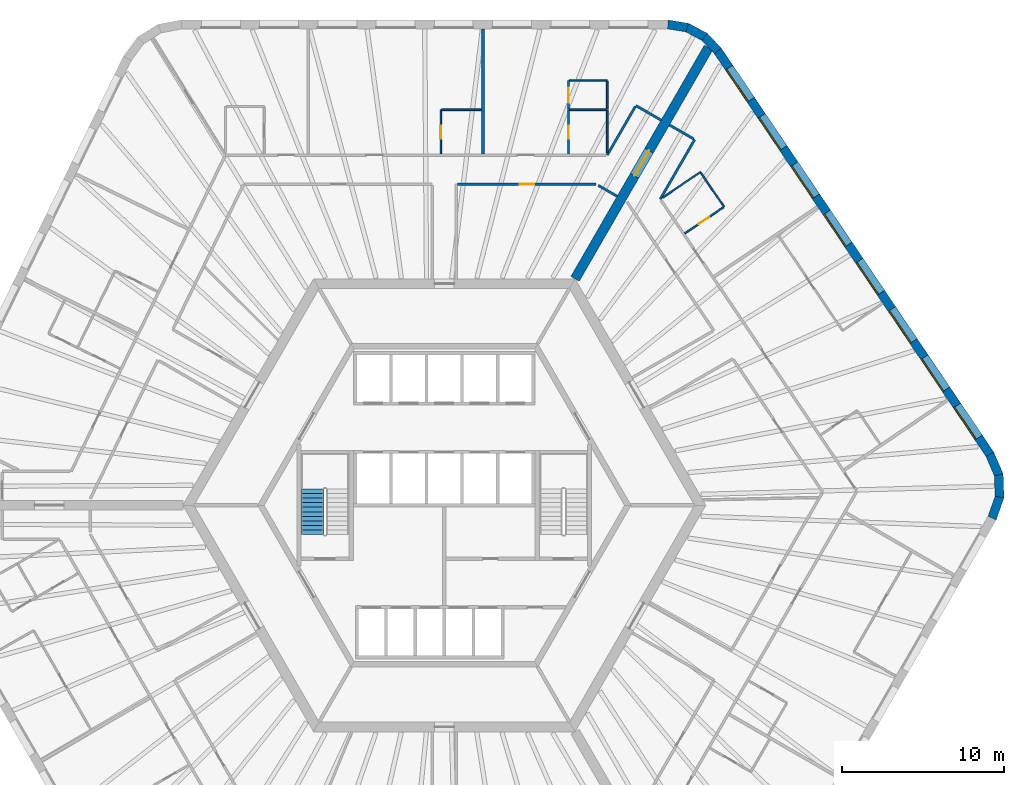
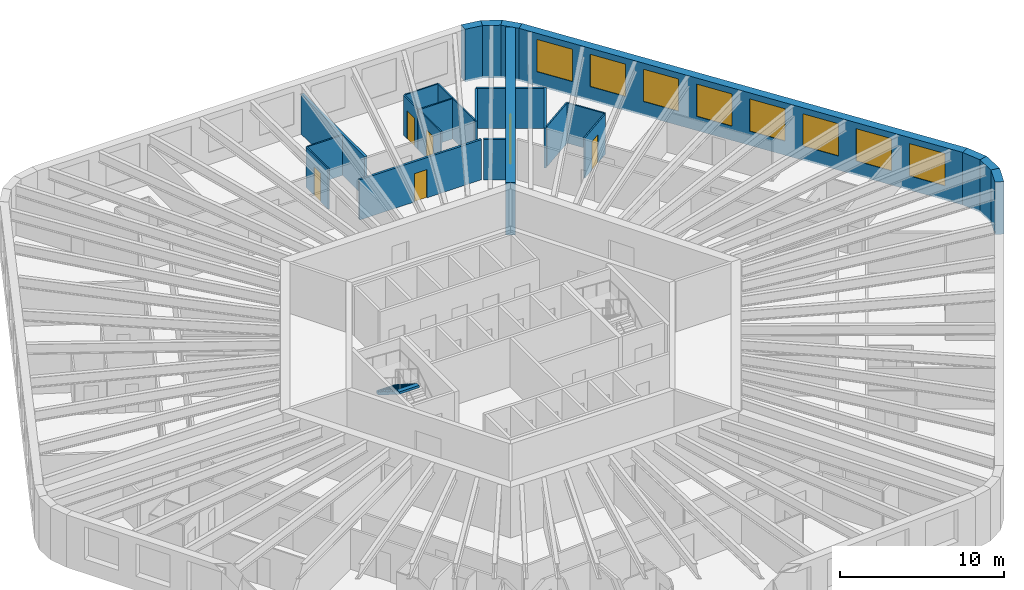
# One storey, part 10 of 12: 26 walls, 8 windows, 6 doors, 1 stair flight, 14 openings, 1 element without a shape of its own.
"""IFC4 building model written with IfcOpenShell, lengths in metres."""

import ifcopenshell
import ifcopenshell.guid

model = None  # the IFC model being written
_history = None  # IfcOwnerHistory: only IFC2X3 demands one
_inside = {}  # id of a spatial element -> (the spatial element, [elements in it])
_under = {}  # id of a project, library or spatial element -> (it, [spatial elements below it])
_declared = {}  # id of a project -> (the project, [libraries it declares])
_typed = {}  # id of a type object -> (the type object, [elements of that type])
_made_of = {}  # id of a material, layer set ... -> (it, [elements and type objects made of it])


def new_model(schema):
    """Start an empty IFC model of exactly this schema.

    Asked for "IFC4X3", IfcOpenShell would pick the latest addendum, in which some entities
    have other attributes; the version numbers below select the first issue.
    IFC2X3 requires an IfcOwnerHistory on every rooted entity: one is made here for all.
    """
    global model, _history
    if schema == "IFC4X3":
        model = ifcopenshell.file(schema_version=(4, 3, 0, 0))
    else:
        model = ifcopenshell.file(schema=schema)
    _inside.clear()
    _under.clear()
    _declared.clear()
    _typed.clear()
    _made_of.clear()
    _history = None
    if model.schema == "IFC2X3":
        org = make("IfcOrganization", Name="unknown")
        user = make(
            "IfcPersonAndOrganization",
            ThePerson=make("IfcPerson", FamilyName="unknown"),
            TheOrganization=org,
        )
        app = make(
            "IfcApplication",
            ApplicationDeveloper=org,
            Version="unknown",
            ApplicationFullName="unknown",
            ApplicationIdentifier="unknown",
        )
        _history = make(
            "IfcOwnerHistory",
            OwningUser=user,
            OwningApplication=app,
            ChangeAction="ADDED",
            CreationDate=0,
        )
    return model


def make(cls, **values):
    """One entity of the class cls with the attributes given. An attribute that is None is left unset."""
    return model.create_entity(
        cls, **{name: value for name, value in values.items() if value is not None}
    )


def rooted(cls, **values):
    """An entity with a GlobalId (a new one), such as an element, a storey or a relation."""
    return make(cls, GlobalId=ifcopenshell.guid.new(), OwnerHistory=_history, **values)


def si_unit(unit_type, name, prefix=None):
    """IfcSIUnit, for example si_unit("LENGTHUNIT", "METRE", prefix="MILLI")."""
    return make("IfcSIUnit", UnitType=unit_type, Prefix=prefix, Name=name)


def assignment(units):
    """IfcUnitAssignment: the units of a project."""
    return None if units is None else make("IfcUnitAssignment", Units=units)


def point(xyz):
    """IfcCartesianPoint."""
    return None if xyz is None else make("IfcCartesianPoint", Coordinates=xyz)


def direction(xyz):
    """IfcDirection."""
    return None if xyz is None else make("IfcDirection", DirectionRatios=xyz)


def frame(location, z_axis=None, x_axis=None):
    """IfcAxis2Placement3D, a coordinate frame: its origin and axes. An axis left out is left unset."""
    return make(
        "IfcAxis2Placement3D",
        Location=point(location),
        Axis=direction(z_axis),
        RefDirection=direction(x_axis),
    )


def frame_2d(location, x_axis=None):
    """IfcAxis2Placement2D, a coordinate frame in the plane: its origin and x axis."""
    return make(
        "IfcAxis2Placement2D", Location=point(location), RefDirection=direction(x_axis)
    )


def origin():
    """The frame at (0, 0, 0) with its axes left unset."""
    return frame((0.0, 0.0, 0.0))


def place(relative_to, where):
    """IfcLocalPlacement: puts the frame where relative to a parent placement (None: the world)."""
    return make(
        "IfcLocalPlacement", PlacementRelTo=relative_to, RelativePlacement=where
    )


def context(
    kind, dimensions, precision=None, world=None, true_north=None, identifier=None
):
    """IfcGeometricRepresentationContext, for example the 3D "Model" context."""
    return make(
        "IfcGeometricRepresentationContext",
        ContextIdentifier=identifier,
        ContextType=kind,
        CoordinateSpaceDimension=dimensions,
        Precision=precision,
        WorldCoordinateSystem=world,
        TrueNorth=true_north,
    )


def subcontext(parent, identifier, kind, view, scale=None):
    """IfcGeometricRepresentationSubContext, for example "Body" below "Model"."""
    return make(
        "IfcGeometricRepresentationSubContext",
        ContextIdentifier=identifier,
        ContextType=kind,
        ParentContext=parent,
        TargetScale=scale,
        TargetView=view,
    )


def project(units=None, contexts=None):
    """IfcProject with its units and contexts."""
    return rooted(
        "IfcProject",
        Name="project",
        RepresentationContexts=contexts,
        UnitsInContext=assignment(units),
    )


def spatial(cls, under=None, at=None, **own):
    """A site, building, storey or space (cls), placed at a placement, below another one or the project."""
    s = rooted(cls, ObjectPlacement=at, **own)
    if under is not None:
        _under.setdefault(under.id(), (under, []))[1].append(s)
    return s


def polyline(points):
    """IfcPolyline through the points."""
    return make("IfcPolyline", Points=[point(p) for p in points])


def profile(cls, at=None, kind="AREA", **sizes):
    """A parametric profile (cls). Its sizes go by their IFC names, for example OverallWidth=200.0."""
    return make(cls, ProfileType=kind, Position=at, **sizes)


def rectangle(**sizes):
    """IfcRectangleProfileDef."""
    return profile("IfcRectangleProfileDef", **sizes)


def outline(outer, holes=None, kind="AREA"):
    """IfcArbitraryClosedProfileDef: a profile drawn as a closed curve; with holes, ...WithVoids."""
    if holes is None:
        return make("IfcArbitraryClosedProfileDef", ProfileType=kind, OuterCurve=outer)
    return make(
        "IfcArbitraryProfileDefWithVoids",
        ProfileType=kind,
        OuterCurve=outer,
        InnerCurves=holes,
    )


def extrude(swept, where, along, depth):
    """IfcExtrudedAreaSolid: the profile swept, set in the frame where, extruded along a direction by depth."""
    return make(
        "IfcExtrudedAreaSolid",
        SweptArea=swept,
        Position=where,
        ExtrudedDirection=direction(along),
        Depth=depth,
    )


def shape(context_of_items, identifier, shape_type, items):
    """IfcShapeRepresentation: the items that make up one representation, for example the "Body"."""
    return make(
        "IfcShapeRepresentation",
        ContextOfItems=context_of_items,
        RepresentationIdentifier=identifier,
        RepresentationType=shape_type,
        Items=items,
    )


def material(Name=None, Category=None):
    """IfcMaterial."""
    return make("IfcMaterial", Name=Name, Category=Category)


def layer(
    of_material, thickness, ventilated=None, Name=None, Category=None, Priority=None
):
    """IfcMaterialLayer: one layer of a wall or slab, of a material (None: an air gap)."""
    return make(
        "IfcMaterialLayer",
        Material=of_material,
        LayerThickness=thickness,
        IsVentilated=ventilated,
        Name=Name,
        Category=Category,
        Priority=Priority,
    )


def layer_set(layers, Name=None):
    """IfcMaterialLayerSet."""
    return make("IfcMaterialLayerSet", MaterialLayers=layers, LayerSetName=Name)


def made_of(thing, what):
    """Note that an element or type object is made of a material, layer set ...; save() writes the relation."""
    if what is not None:
        _made_of.setdefault(what.id(), (what, []))[1].append(thing)
    return thing


def type_object(cls, material=None, **own):
    """A type object (cls), such as IfcWallType, which elements share."""
    return made_of(rooted(cls, **own), material)


def element(
    cls,
    number,
    at=None,
    inside=None,
    cuts=None,
    type_object=None,
    material=None,
    context=None,
    identifier="Body",
    shape_type=None,
    held_by="IfcProductDefinitionShape",
    body=None,
    shapes=None,
    **own,
):
    """One element of the class cls, such as IfcWall. Its Tag is "e" and its number.

    at: its placement. inside: the storey or other place that contains it. cuts: it is an
    opening in that element (IfcRelVoidsElement). A single representation is given by context,
    identifier, shape_type and body (its items); several are given by shapes. held_by: the class
    of the entity that holds the representations. save() writes the other relations.
    """
    e = rooted(cls, Tag="e%d" % number, ObjectPlacement=at, **own)
    if body is not None:
        shapes = [shape(context, identifier, shape_type, body)]
    if shapes is not None:
        e.Representation = make(held_by, Representations=shapes)
    if inside is not None:
        _inside.setdefault(inside.id(), (inside, []))[1].append(e)
    if cuts is not None:
        rooted(
            "IfcRelVoidsElement", RelatingBuildingElement=cuts, RelatedOpeningElement=e
        )
    if type_object is not None:
        _typed.setdefault(type_object.id(), (type_object, []))[1].append(e)
    return made_of(e, material)


def fill(opening, filler):
    """IfcRelFillsElement: the door or window that sits in an opening."""
    return rooted(
        "IfcRelFillsElement",
        RelatingOpeningElement=opening,
        RelatedBuildingElement=filler,
    )


def aggregate(whole, parts):
    """IfcRelAggregates: a whole, such as a stair, and the parts it consists of."""
    return rooted("IfcRelAggregates", RelatingObject=whole, RelatedObjects=parts)


def save(model, path):
    """Write the relations noted so far, then the file.

    IfcRelAggregates (storeys below a building ...), IfcRelContainedInSpatialStructure (elements
    in a storey), IfcRelDefinesByType, IfcRelAssociatesMaterial and IfcRelDeclares: one each for
    every whole, place, type object, material and project.
    """
    for whole, parts in _under.values():
        aggregate(whole, parts)
    for where, things in _inside.values():
        rooted(
            "IfcRelContainedInSpatialStructure",
            RelatedElements=things,
            RelatingStructure=where,
        )
    for kind, things in _typed.values():
        rooted("IfcRelDefinesByType", RelatedObjects=things, RelatingType=kind)
    for what, things in _made_of.values():
        rooted("IfcRelAssociatesMaterial", RelatedObjects=things, RelatingMaterial=what)
    for by, libraries in _declared.values():
        rooted("IfcRelDeclares", RelatingContext=by, RelatedDefinitions=libraries)
    model.write(path)


model = new_model("IFC4")

# Units and contexts
model_context = context("Model", 3, precision=1e-05, world=origin(), true_north=direction((0.0, 1.0)))
body_context = subcontext(model_context, "Body", "Model", "MODEL_VIEW")
ifc_project = project(units=[si_unit("LENGTHUNIT", "METRE"), si_unit("AREAUNIT", "SQUARE_METRE"), si_unit("VOLUMEUNIT", "CUBIC_METRE"), si_unit("PLANEANGLEUNIT", "RADIAN"), si_unit("MASSUNIT", "GRAM", prefix="KILO")], contexts=[model_context])

# Site, building, storey
site_placement = place(None, origin())
site = spatial("IfcSite", under=ifc_project, at=site_placement, CompositionType="ELEMENT")
building_placement = place(site_placement, origin())
building = spatial("IfcBuilding", under=site, at=building_placement, Name="Tarnside Tower", CompositionType="ELEMENT")
storey_placement = place(building_placement, frame((0.0, 0.0, 88.199951171875)))
storey = spatial("IfcBuildingStorey", under=building, at=storey_placement, Name="L19", CompositionType="ELEMENT", Elevation=88.199951171875)

# Wall, opening, door
ifc_material_1 = material(Name="Gypsum board partition on steel studs", Category="steel")
ifc_layer_1 = layer(ifc_material_1, 0.10009765625)
ifc_layer_set_1 = layer_set([ifc_layer_1], Name="Bathroom wall 100")
wall_type_1 = type_object("IfcWallType", Name="Bathroom wall 100", PredefinedType="PARTITIONING", material=ifc_layer_set_1)
wall_1_placement = place(storey_placement, frame((7.6748046875, 21.72509765625, 0.0), z_axis=(0.0, 0.0, 1.0), x_axis=(0.0, 1.0, 0.0)))
wall_1 = element("IfcWall", 1, at=wall_1_placement, inside=storey, type_object=wall_type_1, Name="Bathroom wall 05079", PredefinedType="PARTITIONING", context=body_context, shape_type="SweptSolid", body=[
    extrude(rectangle(XDim=2.724853515625, YDim=0.10009765625, at=frame_2d((1.3623046875, 0.0))), origin(), (0.0, 0.0, 1.0), 2.98779296875),
])
opening_1_placement = place(wall_1_placement, frame((0.925048828125, 0.0, 0.0)))
opening_1 = element("IfcOpeningElement", 2, at=opening_1_placement, cuts=wall_1, Name="Opening D-B1", PredefinedType="OPENING", context=body_context, shape_type="SweptSolid", body=[
    extrude(rectangle(XDim=0.800048828125, YDim=2.10009765625, at=frame_2d((0.39990234375, 1.050048828125))), frame((0.0, 0.06005859375, 0.0), z_axis=(0.0, -1.0, 0.0), x_axis=(1.0, 0.0, 0.0)), (0.0, 0.0, 1.0), 0.1201171875),
])
ifc_material_2 = material(Name="Timber door leaf", Category="wood")
door_type_1 = type_object("IfcDoorType", Name="Bathroom door 800", OperationType="NOTDEFINED", PredefinedType="DOOR", material=ifc_material_2)
door_1_placement = place(opening_1_placement, origin())
door_1 = element("IfcDoor", 3, at=door_1_placement, inside=storey, type_object=door_type_1, Name="Bathroom door 05002", OperationType="SINGLE_SWING_RIGHT", OverallHeight=2.10009765625, OverallWidth=0.800048828125, PredefinedType="DOOR", context=body_context, shape_type="SweptSolid", body=[
    extrude(rectangle(XDim=0.800048828125, YDim=2.10009765625, at=frame_2d((0.39990234375, 1.050048828125))), frame((0.0, 0.02490234375, 0.0), z_axis=(0.0, -1.0, 0.0), x_axis=(1.0, 0.0, 0.0)), (0.0, 0.0, 1.0), 0.050048828125),
])
fill(opening_1, door_1)

# Walls
wall_2_placement = place(storey_placement, frame((10.07470703125, 24.449951171875, 0.0), z_axis=(0.0, 0.0, 1.0), x_axis=(0.0, -1.0, 0.0)))
element("IfcWall", 4, at=wall_2_placement, inside=storey, type_object=wall_type_1, Name="Bathroom wall 05080", PredefinedType="PARTITIONING", context=body_context, shape_type="SweptSolid", body=[
    extrude(rectangle(XDim=2.64990234375, YDim=0.10009765625, at=frame_2d((1.324951171875, 0.0))), origin(), (0.0, 0.0, 1.0), 2.98779296875),
])
wall_3_placement = place(storey_placement, frame((10.024658203125, 24.449951171875, 0.0), z_axis=(0.0, 0.0, 1.0), x_axis=(-1.0, 0.0, 0.0)))
element("IfcWall", 5, at=wall_3_placement, inside=storey, type_object=wall_type_1, Name="Bathroom wall 05086", PredefinedType="PARTITIONING", context=body_context, shape_type="SweptSolid", body=[
    extrude(rectangle(XDim=2.2998046875, YDim=0.10009765625, at=frame_2d((1.14990234375, 0.0))), origin(), (0.0, 0.0, 1.0), 2.98779296875),
])

# Wall, opening, door
wall_4_placement = place(storey_placement, frame((-0.2109375, 21.72509765625, 0.0), z_axis=(0.0, 0.0, 1.0), x_axis=(0.0, 1.0, 0.0)))
wall_4 = element("IfcWall", 6, at=wall_4_placement, inside=storey, type_object=wall_type_1, Name="Bathroom wall 05087", PredefinedType="PARTITIONING", context=body_context, shape_type="SweptSolid", body=[
    extrude(rectangle(XDim=2.724853515625, YDim=0.10009765625, at=frame_2d((1.3623046875, 0.0))), origin(), (0.0, 0.0, 1.0), 2.98779296875),
])
opening_2_placement = place(wall_4_placement, frame((0.925048828125, 0.0, 0.0)))
opening_2 = element("IfcOpeningElement", 7, at=opening_2_placement, cuts=wall_4, Name="Opening D-B1", PredefinedType="OPENING", context=body_context, shape_type="SweptSolid", body=[
    extrude(rectangle(XDim=0.800048828125, YDim=2.10009765625, at=frame_2d((0.39990234375, 1.050048828125))), frame((0.0, 0.06005859375, 0.0), z_axis=(0.0, -1.0, 0.0), x_axis=(1.0, 0.0, 0.0)), (0.0, 0.0, 1.0), 0.1201171875),
])
door_2_placement = place(opening_2_placement, origin())
door_2 = element("IfcDoor", 8, at=door_2_placement, inside=storey, type_object=door_type_1, Name="Bathroom door 05005", OperationType="SINGLE_SWING_RIGHT", OverallHeight=2.10009765625, OverallWidth=0.800048828125, PredefinedType="DOOR", context=body_context, shape_type="SweptSolid", body=[
    extrude(rectangle(XDim=0.800048828125, YDim=2.10009765625, at=frame_2d((0.39990234375, 1.050048828125))), frame((0.0, 0.02490234375, 0.0), z_axis=(0.0, -1.0, 0.0), x_axis=(1.0, 0.0, 0.0)), (0.0, 0.0, 1.0), 0.050048828125),
])
fill(opening_2, door_2)

# Walls
wall_5_placement = place(storey_placement, frame((-0.1611328125, 24.449951171875, 0.0), z_axis=(0.0, 0.0, 1.0), x_axis=(1.0, 0.0, 0.0)))
element("IfcWall", 9, at=wall_5_placement, inside=storey, type_object=wall_type_1, Name="Bathroom wall 05088", PredefinedType="PARTITIONING", context=body_context, shape_type="SweptSolid", body=[
    extrude(rectangle(XDim=2.4599609375, YDim=0.10009765625, at=frame_2d((1.22998046875, 0.0))), origin(), (0.0, 0.0, 1.0), 2.98779296875),
])
wall_6_placement = place(storey_placement, frame((13.4921875, 19.019287109375, 0.0), z_axis=(0.0, 0.0, 1.0), x_axis=(0.829037705426, 0.559192706481, 0.0)))
element("IfcWall", 10, at=wall_6_placement, inside=storey, type_object=wall_type_1, Name="Bathroom wall 05156", PredefinedType="PARTITIONING", context=body_context, shape_type="SweptSolid", body=[
    extrude(rectangle(XDim=2.8291015625, YDim=0.10009765625, at=frame_2d((1.41455078125, 0.0))), origin(), (0.0, 0.0, 1.0), 2.98779296875),
])
wall_7_placement = place(storey_placement, frame((15.865478515625, 20.559814453125, 0.0), z_axis=(0.0, 0.0, 1.0), x_axis=(0.559221247909, -0.829018453285, 0.0)))
element("IfcWall", 11, at=wall_7_placement, inside=storey, type_object=wall_type_1, Name="Bathroom wall 05157", PredefinedType="PARTITIONING", context=body_context, shape_type="SweptSolid", body=[
    extrude(rectangle(XDim=2.550048828125, YDim=0.10009765625, at=frame_2d((1.27490234375, 0.0))), origin(), (0.0, 0.0, 1.0), 2.98779296875),
])

# Wall, opening, door
wall_8_placement = place(storey_placement, frame((17.25, 18.417724609375, 0.0), z_axis=(0.0, 0.0, 1.0), x_axis=(-0.82904649496, -0.559179675234, 0.0)))
wall_8 = element("IfcWall", 12, at=wall_8_placement, inside=storey, type_object=wall_type_1, Name="Bathroom wall 05158", PredefinedType="PARTITIONING", context=body_context, shape_type="SweptSolid", body=[
    extrude(rectangle(XDim=2.875, YDim=0.10009765625, at=frame_2d((1.4375, 0.0))), origin(), (0.0, 0.0, 1.0), 2.98779296875),
])
opening_3_placement = place(wall_8_placement, frame((1.050048828125, 0.0, 0.0)))
opening_3 = element("IfcOpeningElement", 13, at=opening_3_placement, cuts=wall_8, Name="Opening D-B1", PredefinedType="OPENING", context=body_context, shape_type="SweptSolid", body=[
    extrude(rectangle(XDim=0.800048828125, YDim=2.10009765625, at=frame_2d((0.39990234375, 1.050048828125))), frame((0.0, 0.06005859375, 0.0), z_axis=(0.0, -1.0, 0.0), x_axis=(1.0, 0.0, 0.0)), (0.0, 0.0, 1.0), 0.1201171875),
])
door_3_placement = place(opening_3_placement, origin())
door_3 = element("IfcDoor", 14, at=door_3_placement, inside=storey, type_object=door_type_1, Name="Bathroom door 05040", OperationType="SINGLE_SWING_LEFT", OverallHeight=2.10009765625, OverallWidth=0.800048828125, PredefinedType="DOOR", context=body_context, shape_type="SweptSolid", body=[
    extrude(rectangle(XDim=0.800048828125, YDim=2.10009765625, at=frame_2d((0.39990234375, 1.050048828125))), frame((0.0, 0.02490234375, 0.0), z_axis=(0.0, -1.0, 0.0), x_axis=(1.0, 0.0, 0.0)), (0.0, 0.0, 1.0), 0.050048828125),
])
fill(opening_3, door_3)

ifc_material_3 = material(Name="Concrete C80/95", Category="concrete")
ifc_layer_2 = layer(ifc_material_3, 0.60009765625)
ifc_layer_set_2 = layer_set([ifc_layer_2], Name="Core wall Z1 600 C80/95")
wall_type_2 = type_object("IfcWallType", Name="Core wall Z1 600 C80/95", PredefinedType="SHEAR", material=ifc_layer_set_2)
wall_9_placement = place(storey_placement, frame((8.0830078125, 14.0, -0.14990234375), z_axis=(0.0, 0.0, 1.0), x_axis=(0.499997680643, 0.866026742862, 0.0)))
wall_9 = element("IfcWall", 15, at=wall_9_placement, inside=storey, type_object=wall_type_2, Name="L19 spine wall 1", PredefinedType="SHEAR", context=body_context, shape_type="SweptSolid", body=[
    extrude(rectangle(XDim=16.5087890625, YDim=0.60009765625, at=frame_2d((8.25439453125, 0.0))), origin(), (0.0, 0.0, 1.0), 3.89990234375),
])
opening_4_placement = place(wall_9_placement, frame((7.3544921875, 0.0, 0.14990234375)))
opening_4 = element("IfcOpeningElement", 16, at=opening_4_placement, cuts=wall_9, Name="Opening CD-SPN", PredefinedType="OPENING", context=body_context, shape_type="SweptSolid", body=[
    extrude(rectangle(XDim=1.800048828125, YDim=2.39990234375, at=frame_2d((0.89990234375, 1.199951171875))), frame((0.0, 0.31005859375, 0.0), z_axis=(0.0, -1.0, 0.0), x_axis=(1.0, 0.0, 0.0)), (0.0, 0.0, 1.0), 0.6201171875),
])
ifc_material_4 = material(Name="Steel fire door", Category="steel")
door_type_2 = type_object("IfcDoorType", Name="Spine passage double door FD60 1800x2400", OperationType="NOTDEFINED", PredefinedType="DOOR", material=ifc_material_4)
door_4_placement = place(opening_4_placement, origin())
door_4 = element("IfcDoor", 17, at=door_4_placement, inside=storey, type_object=door_type_2, Name="L19 spine passage door 1", OperationType="DOUBLE_DOOR_SINGLE_SWING", OverallHeight=2.39990234375, OverallWidth=1.800048828125, PredefinedType="DOOR", context=body_context, shape_type="SweptSolid", body=[
    extrude(rectangle(XDim=1.800048828125, YDim=2.39990234375, at=frame_2d((0.89990234375, 1.199951171875))), frame((0.0, 0.02490234375, 0.0), z_axis=(0.0, -1.0, 0.0), x_axis=(1.0, 0.0, 0.0)), (0.0, 0.0, 1.0), 0.050048828125),
])
fill(opening_4, door_4)

# Walls
ifc_layer_3 = layer(ifc_material_1, 0.14990234375)
ifc_layer_set_3 = layer_set([ifc_layer_3], Name="Corridor wall 150 EI 60")
wall_type_3 = type_object("IfcWallType", Name="Corridor wall 150 EI 60", PredefinedType="PARTITIONING", material=ifc_layer_set_3)
wall_10_placement = place(storey_placement, frame((13.400390625, 23.81005859375, 0.0), z_axis=(0.0, 0.0, 1.0), x_axis=(-0.865989075817, 0.500062916607, 0.0)))
element("IfcWall", 18, at=wall_10_placement, inside=storey, type_object=wall_type_3, Name="Corridor wall 05002", PredefinedType="PARTITIONING", context=body_context, shape_type="SweptSolid", body=[
    extrude(rectangle(XDim=1.800048828125, YDim=0.14990234375, at=frame_2d((0.89990234375, 0.0))), origin(), (0.0, 0.0, 1.0), 2.98779296875),
])
wall_11_placement = place(storey_placement, frame((11.803955078125, 24.64501953125, 0.0), z_axis=(0.0, 0.0, 1.0), x_axis=(-0.500003541824, -0.866023358902, 0.0)))
element("IfcWall", 19, at=wall_11_placement, inside=storey, type_object=wall_type_3, Name="Corridor wall 05003", PredefinedType="PARTITIONING", context=body_context, shape_type="SweptSolid", body=[
    extrude(rectangle(XDim=3.45849609375, YDim=0.14990234375, at=frame_2d((1.729248046875, 0.0))), origin(), (0.0, 0.0, 1.0), 2.98779296875),
])

# Wall, opening, door
wall_12_placement = place(storey_placement, frame((0.824951171875, 19.85009765625, 0.0), z_axis=(0.0, 0.0, 1.0), x_axis=(1.0, 0.0, 0.0)))
wall_12 = element("IfcWall", 20, at=wall_12_placement, inside=storey, type_object=wall_type_3, Name="Corridor wall 05023", PredefinedType="PARTITIONING", context=body_context, shape_type="SweptSolid", body=[
    extrude(rectangle(XDim=8.564208984375, YDim=0.14990234375, at=frame_2d((4.2822265625, 0.0))), origin(), (0.0, 0.0, 1.0), 2.98779296875),
])
opening_5_placement = place(wall_12_placement, frame((3.83203125, 0.0, 0.0)))
opening_5 = element("IfcOpeningElement", 21, at=opening_5_placement, cuts=wall_12, Name="Opening D-S1", PredefinedType="OPENING", context=body_context, shape_type="SweptSolid", body=[
    extrude(rectangle(XDim=0.89990234375, YDim=2.10009765625, at=frame_2d((0.449951171875, 1.050048828125))), frame((0.0, 0.0849609375, 0.0), z_axis=(0.0, -1.0, 0.0), x_axis=(1.0, 0.0, 0.0)), (0.0, 0.0, 1.0), 0.169921875),
])
door_type_3 = type_object("IfcDoorType", Name="Service room door 900 FD30S", OperationType="NOTDEFINED", PredefinedType="DOOR", material=ifc_material_2)
door_5_placement = place(opening_5_placement, origin())
door_5 = element("IfcDoor", 22, at=door_5_placement, inside=storey, type_object=door_type_3, Name="Service door 05043", OperationType="SINGLE_SWING_RIGHT", OverallHeight=2.10009765625, OverallWidth=0.89990234375, PredefinedType="DOOR", context=body_context, shape_type="SweptSolid", body=[
    extrude(rectangle(XDim=0.89990234375, YDim=2.10009765625, at=frame_2d((0.449951171875, 1.050048828125))), frame((0.0, 0.02490234375, 0.0), z_axis=(0.0, -1.0, 0.0), x_axis=(1.0, 0.0, 0.0)), (0.0, 0.0, 1.0), 0.050048828125),
])
fill(opening_5, door_5)

# Walls
wall_13_placement = place(storey_placement, frame((9.51904296875, 19.77490234375, 0.0), z_axis=(0.0, 0.0, 1.0), x_axis=(0.866043397086, -0.499968833392, 0.0)))
element("IfcWall", 23, at=wall_13_placement, inside=storey, type_object=wall_type_3, Name="Corridor wall 05024", PredefinedType="PARTITIONING", context=body_context, shape_type="SweptSolid", body=[
    extrude(rectangle(XDim=1.34375, YDim=0.14990234375, at=frame_2d((0.671875, 0.0))), origin(), (0.0, 0.0, 1.0), 2.98779296875),
])
wall_14_placement = place(storey_placement, frame((13.350341796875, 18.923583984375, 0.0), z_axis=(0.0, 0.0, 1.0), x_axis=(0.500000470374, 0.866025132214, 0.0)))
element("IfcWall", 24, at=wall_14_placement, inside=storey, type_object=wall_type_3, Name="Corridor wall 05065", PredefinedType="PARTITIONING", context=body_context, shape_type="SweptSolid", body=[
    extrude(rectangle(XDim=4.2568359375, YDim=0.14990234375, at=frame_2d((2.12841796875, 0.0))), origin(), (0.0, 0.0, 1.0), 2.98779296875),
])
wall_15_placement = place(storey_placement, frame((15.413818359375, 22.647705078125, 0.0), z_axis=(0.0, 0.0, 1.0), x_axis=(-0.866074815912, 0.499914405916, 0.0)))
element("IfcWall", 25, at=wall_15_placement, inside=storey, type_object=wall_type_3, Name="Corridor wall 05066", PredefinedType="PARTITIONING", context=body_context, shape_type="SweptSolid", body=[
    extrude(rectangle(XDim=1.724853515625, YDim=0.14990234375, at=frame_2d((0.8623046875, 0.0))), origin(), (0.0, 0.0, 1.0), 2.98779296875),
])
ifc_layer_4 = layer(ifc_material_1, 0.179931640625)
ifc_layer_set_4 = layer_set([ifc_layer_4], Name="Demising wall 180 EI 60")
wall_type_4 = type_object("IfcWallType", Name="Demising wall 180 EI 60", PredefinedType="PARTITIONING", material=ifc_layer_set_4)
wall_16_placement = place(storey_placement, frame((2.388916015625, 29.449951171875, 0.0), z_axis=(0.0, 0.0, 1.0), x_axis=(0.0, -1.0, 0.0)))
element("IfcWall", 26, at=wall_16_placement, inside=storey, type_object=wall_type_4, Name="Demising wall 05084", PredefinedType="PARTITIONING", context=body_context, shape_type="SweptSolid", body=[
    extrude(rectangle(XDim=7.724853515625, YDim=0.179931640625, at=frame_2d((3.8623046875, 0.0))), origin(), (0.0, 0.0, 1.0), 2.98779296875),
])

# Wall, opening, door
ifc_layer_5 = layer(ifc_material_1, 0.10009765625)
ifc_layer_set_5 = layer_set([ifc_layer_5], Name="Partition 100")
wall_type_5 = type_object("IfcWallType", Name="Partition 100", PredefinedType="PARTITIONING", material=ifc_layer_set_5)
wall_17_placement = place(storey_placement, frame((7.6748046875, 24.5, 0.0), z_axis=(0.0, 0.0, 1.0), x_axis=(0.0, 1.0, 0.0)))
wall_17 = element("IfcWall", 27, at=wall_17_placement, inside=storey, type_object=wall_type_5, Name="Partition wall 05081", PredefinedType="PARTITIONING", context=body_context, shape_type="SweptSolid", body=[
    extrude(rectangle(XDim=1.75, YDim=0.10009765625, at=frame_2d((0.875, 0.0))), origin(), (0.0, 0.0, 1.0), 2.98779296875),
])
opening_6_placement = place(wall_17_placement, frame((0.39990234375, 0.0, 0.0)))
opening_6 = element("IfcOpeningElement", 28, at=opening_6_placement, cuts=wall_17, Name="Opening D-I1", PredefinedType="OPENING", context=body_context, shape_type="SweptSolid", body=[
    extrude(rectangle(XDim=0.89990234375, YDim=2.10009765625, at=frame_2d((0.449951171875, 1.050048828125))), frame((0.0, 0.06005859375, 0.0), z_axis=(0.0, -1.0, 0.0), x_axis=(1.0, 0.0, 0.0)), (0.0, 0.0, 1.0), 0.1201171875),
])
door_type_4 = type_object("IfcDoorType", Name="Internal door 900", OperationType="NOTDEFINED", PredefinedType="DOOR", material=ifc_material_2)
door_6_placement = place(opening_6_placement, origin())
door_6 = element("IfcDoor", 29, at=door_6_placement, inside=storey, type_object=door_type_4, Name="Internal door 05003", OperationType="SINGLE_SWING_RIGHT", OverallHeight=2.10009765625, OverallWidth=0.89990234375, PredefinedType="DOOR", context=body_context, shape_type="SweptSolid", body=[
    extrude(rectangle(XDim=0.89990234375, YDim=2.10009765625, at=frame_2d((0.449951171875, 1.050048828125))), frame((0.0, 0.02490234375, 0.0), z_axis=(0.0, -1.0, 0.0), x_axis=(1.0, 0.0, 0.0)), (0.0, 0.0, 1.0), 0.050048828125),
])
fill(opening_6, door_6)

# Walls
wall_18_placement = place(storey_placement, frame((7.724853515625, 26.25, 0.0), z_axis=(0.0, 0.0, 1.0), x_axis=(1.0, 0.0, 0.0)))
element("IfcWall", 30, at=wall_18_placement, inside=storey, type_object=wall_type_5, Name="Partition wall 05082", PredefinedType="PARTITIONING", context=body_context, shape_type="SweptSolid", body=[
    extrude(rectangle(XDim=2.349853515625, YDim=0.10009765625, at=frame_2d((1.1748046875, 0.0))), origin(), (0.0, 0.0, 1.0), 2.98779296875),
])
wall_19_placement = place(storey_placement, frame((10.07470703125, 26.199951171875, 0.0), z_axis=(0.0, 0.0, 1.0), x_axis=(0.0, -1.0, 0.0)))
element("IfcWall", 31, at=wall_19_placement, inside=storey, type_object=wall_type_5, Name="Partition wall 05083", PredefinedType="PARTITIONING", context=body_context, shape_type="SweptSolid", body=[
    extrude(rectangle(XDim=1.699951171875, YDim=0.10009765625, at=frame_2d((0.85009765625, 0.0))), origin(), (0.0, 0.0, 1.0), 2.98779296875),
])
ifc_material_5 = material(Name="Facing brick", Category="masonry")
ifc_layer_6 = layer(ifc_material_5, 0.10205078125)
ifc_material_6 = material(Name="Concrete C60/75 precast", Category="concrete")
ifc_layer_7 = layer(ifc_material_6, 0.347900390625)
ifc_material_7 = material(Name="Mineral wool insulation")
ifc_layer_8 = layer(ifc_material_7, 0.10009765625)
ifc_layer_set_6 = layer_set([ifc_layer_6, ifc_layer_7, ifc_layer_8], Name="Tube wall 550 brick faced")
wall_type_6 = type_object("IfcWallType", Name="Tube wall 550 brick faced", PredefinedType="SOLIDWALL", material=ifc_layer_set_6)
wall_20_placement = place(storey_placement, frame((33.865966796875, -0.79248046875, -0.14990234375), z_axis=(0.0, 0.0, 1.0), x_axis=(0.33111537203, 0.943590276765, 0.0)))
element("IfcWall", 32, at=wall_20_placement, inside=storey, type_object=wall_type_6, Name="Tube wall L19 F5 chord 17", PredefinedType="SOLIDWALL", context=body_context, shape_type="SweptSolid", body=[
    extrude(outline(polyline([(-0.025634765625, -0.27490234375), (1.4306640625, -0.27490234375), (1.3271484375, 0.27490234375), (0.025634765625, 0.27490234375), (-0.025634765625, -0.27490234375)])), origin(), (0.0, 0.0, 1.0), 3.89990234375),
])
wall_21_placement = place(storey_placement, frame((34.322509765625, 0.508544921875, -0.14990234375), z_axis=(0.0, 0.0, 1.0), x_axis=(-0.034876908462, 0.999391615562, 0.0)))
element("IfcWall", 33, at=wall_21_placement, inside=storey, type_object=wall_type_6, Name="Tube wall L19 F5 chord 18", PredefinedType="SOLIDWALL", context=body_context, shape_type="SweptSolid", body=[
    extrude(outline(polyline([(-0.0517578125, -0.27490234375), (1.4306640625, -0.27490234375), (1.3271484375, 0.27490234375), (0.0517578125, 0.27490234375), (-0.0517578125, -0.27490234375)])), origin(), (0.0, 0.0, 1.0), 3.89990234375),
])
wall_22_placement = place(storey_placement, frame((34.2744140625, 1.88671875, -0.14990234375), z_axis=(0.0, 0.0, 1.0), x_axis=(-0.396161342798, 0.918180913803, 0.0)))
element("IfcWall", 34, at=wall_22_placement, inside=storey, type_object=wall_type_6, Name="Tube wall L19 F5 chord 19", PredefinedType="SOLIDWALL", context=body_context, shape_type="SweptSolid", body=[
    extrude(outline(polyline([(-0.0517578125, -0.27490234375), (1.40478515625, -0.27490234375), (1.353515625, 0.27490234375), (0.0517578125, 0.27490234375), (-0.0517578125, -0.27490234375)])), origin(), (0.0, 0.0, 1.0), 3.89990234375),
])

# Wall, openings, windows
wall_23_placement = place(storey_placement, frame((33.72802734375, 3.153076171875, -0.14990234375), z_axis=(0.0, 0.0, 1.0), x_axis=(-0.559192411416, 0.82903790445, 0.0)))
wall_23 = element("IfcWall", 35, at=wall_23_placement, inside=storey, type_object=wall_type_6, Name="Tube wall L19 F6 flush 20", PredefinedType="SOLIDWALL", context=body_context, shape_type="SweptSolid", body=[
    extrude(outline(polyline([(-0.025634765625, -0.27490234375), (30.09326171875, -0.27490234375), (30.04833984375, 0.27490234375), (0.025634765625, 0.27490234375), (-0.025634765625, -0.27490234375)])), origin(), (0.0, 0.0, 1.0), 3.89990234375),
])
opening_7_placement = place(wall_23_placement, frame((1.235595703125, 0.0, 1.050048828125)))
opening_7 = element("IfcOpeningElement", 36, at=opening_7_placement, cuts=wall_23, Name="Opening WH", PredefinedType="OPENING", context=body_context, shape_type="SweptSolid", body=[
    extrude(rectangle(XDim=2.39990234375, YDim=2.39990234375, at=frame_2d((1.199951171875, 1.199951171875))), frame((0.0, 0.28515625, 0.0), z_axis=(0.0, -1.0, 0.0), x_axis=(1.0, 0.0, 0.0)), (0.0, 0.0, 1.0), 0.570068359375),
])
opening_8_placement = place(wall_23_placement, frame((4.83544921875, 0.0, 1.050048828125)))
opening_8 = element("IfcOpeningElement", 37, at=opening_8_placement, cuts=wall_23, Name="Opening WH", PredefinedType="OPENING", context=body_context, shape_type="SweptSolid", body=[
    extrude(rectangle(XDim=2.39990234375, YDim=2.39990234375, at=frame_2d((1.199951171875, 1.199951171875))), frame((0.0, 0.28515625, 0.0), z_axis=(0.0, -1.0, 0.0), x_axis=(1.0, 0.0, 0.0)), (0.0, 0.0, 1.0), 0.570068359375),
])
opening_9_placement = place(wall_23_placement, frame((8.435546875, 0.0, 1.050048828125)))
opening_9 = element("IfcOpeningElement", 38, at=opening_9_placement, cuts=wall_23, Name="Opening WH", PredefinedType="OPENING", context=body_context, shape_type="SweptSolid", body=[
    extrude(rectangle(XDim=2.39990234375, YDim=2.39990234375, at=frame_2d((1.199951171875, 1.199951171875))), frame((0.0, 0.28515625, 0.0), z_axis=(0.0, -1.0, 0.0), x_axis=(1.0, 0.0, 0.0)), (0.0, 0.0, 1.0), 0.570068359375),
])
opening_10_placement = place(wall_23_placement, frame((12.035400390625, 0.0, 1.050048828125)))
opening_10 = element("IfcOpeningElement", 39, at=opening_10_placement, cuts=wall_23, Name="Opening WH", PredefinedType="OPENING", context=body_context, shape_type="SweptSolid", body=[
    extrude(rectangle(XDim=2.39990234375, YDim=2.39990234375, at=frame_2d((1.199951171875, 1.199951171875))), frame((0.0, 0.28515625, 0.0), z_axis=(0.0, -1.0, 0.0), x_axis=(1.0, 0.0, 0.0)), (0.0, 0.0, 1.0), 0.570068359375),
])
opening_11_placement = place(wall_23_placement, frame((15.635498046875, 0.0, 1.050048828125)))
opening_11 = element("IfcOpeningElement", 40, at=opening_11_placement, cuts=wall_23, Name="Opening WH", PredefinedType="OPENING", context=body_context, shape_type="SweptSolid", body=[
    extrude(rectangle(XDim=2.39990234375, YDim=2.39990234375, at=frame_2d((1.199951171875, 1.199951171875))), frame((0.0, 0.28515625, 0.0), z_axis=(0.0, -1.0, 0.0), x_axis=(1.0, 0.0, 0.0)), (0.0, 0.0, 1.0), 0.570068359375),
])
opening_12_placement = place(wall_23_placement, frame((19.235595703125, 0.0, 1.050048828125)))
opening_12 = element("IfcOpeningElement", 41, at=opening_12_placement, cuts=wall_23, Name="Opening WH", PredefinedType="OPENING", context=body_context, shape_type="SweptSolid", body=[
    extrude(rectangle(XDim=2.39990234375, YDim=2.39990234375, at=frame_2d((1.199951171875, 1.199951171875))), frame((0.0, 0.28515625, 0.0), z_axis=(0.0, -1.0, 0.0), x_axis=(1.0, 0.0, 0.0)), (0.0, 0.0, 1.0), 0.570068359375),
])
opening_13_placement = place(wall_23_placement, frame((22.83544921875, 0.0, 1.050048828125)))
opening_13 = element("IfcOpeningElement", 42, at=opening_13_placement, cuts=wall_23, Name="Opening WH", PredefinedType="OPENING", context=body_context, shape_type="SweptSolid", body=[
    extrude(rectangle(XDim=2.39990234375, YDim=2.39990234375, at=frame_2d((1.199951171875, 1.199951171875))), frame((0.0, 0.28515625, 0.0), z_axis=(0.0, -1.0, 0.0), x_axis=(1.0, 0.0, 0.0)), (0.0, 0.0, 1.0), 0.570068359375),
])
opening_14_placement = place(wall_23_placement, frame((26.435546875, 0.0, 1.050048828125)))
opening_14 = element("IfcOpeningElement", 43, at=opening_14_placement, cuts=wall_23, Name="Opening WH", PredefinedType="OPENING", context=body_context, shape_type="SweptSolid", body=[
    extrude(rectangle(XDim=2.39990234375, YDim=2.39990234375, at=frame_2d((1.199951171875, 1.199951171875))), frame((0.0, 0.28515625, 0.0), z_axis=(0.0, -1.0, 0.0), x_axis=(1.0, 0.0, 0.0)), (0.0, 0.0, 1.0), 0.570068359375),
])
ifc_material_8 = material(Name="Aluminium-framed double glazing", Category="aluminium")
window_type = type_object("IfcWindowType", Name="Hotel window 2400 x 2400", PartitioningType="DOUBLE_PANEL_VERTICAL", PredefinedType="WINDOW", material=ifc_material_8)
window_1_placement = place(opening_7_placement, frame((0.0, 0.205078125, 0.0)))
window_1 = element("IfcWindow", 44, at=window_1_placement, inside=storey, type_object=window_type, Name="E.WN.L19.F6.00", OverallHeight=2.39990234375, OverallWidth=2.39990234375, PartitioningType="DOUBLE_PANEL_VERTICAL", PredefinedType="WINDOW", context=body_context, shape_type="SweptSolid", body=[
    extrude(rectangle(XDim=2.39990234375, YDim=2.39990234375, at=frame_2d((1.199951171875, 1.199951171875))), frame((0.0, 0.030029296875, 0.0), z_axis=(0.0, -1.0, 0.0), x_axis=(1.0, 0.0, 0.0)), (0.0, 0.0, 1.0), 0.06005859375),
])
fill(opening_7, window_1)
window_2_placement = place(opening_8_placement, frame((0.0, 0.205078125, 0.0)))
window_2 = element("IfcWindow", 45, at=window_2_placement, inside=storey, type_object=window_type, Name="E.WN.L19.F6.01", OverallHeight=2.39990234375, OverallWidth=2.39990234375, PartitioningType="DOUBLE_PANEL_VERTICAL", PredefinedType="WINDOW", context=body_context, shape_type="SweptSolid", body=[
    extrude(rectangle(XDim=2.39990234375, YDim=2.39990234375, at=frame_2d((1.199951171875, 1.199951171875))), frame((0.0, 0.030029296875, 0.0), z_axis=(0.0, -1.0, 0.0), x_axis=(1.0, 0.0, 0.0)), (0.0, 0.0, 1.0), 0.06005859375),
])
fill(opening_8, window_2)
window_3_placement = place(opening_9_placement, frame((0.0, 0.205078125, 0.0)))
window_3 = element("IfcWindow", 46, at=window_3_placement, inside=storey, type_object=window_type, Name="E.WN.L19.F6.02", OverallHeight=2.39990234375, OverallWidth=2.39990234375, PartitioningType="DOUBLE_PANEL_VERTICAL", PredefinedType="WINDOW", context=body_context, shape_type="SweptSolid", body=[
    extrude(rectangle(XDim=2.39990234375, YDim=2.39990234375, at=frame_2d((1.199951171875, 1.199951171875))), frame((0.0, 0.030029296875, 0.0), z_axis=(0.0, -1.0, 0.0), x_axis=(1.0, 0.0, 0.0)), (0.0, 0.0, 1.0), 0.06005859375),
])
fill(opening_9, window_3)
window_4_placement = place(opening_10_placement, frame((0.0, 0.205078125, 0.0)))
window_4 = element("IfcWindow", 47, at=window_4_placement, inside=storey, type_object=window_type, Name="E.WN.L19.F6.03", OverallHeight=2.39990234375, OverallWidth=2.39990234375, PartitioningType="DOUBLE_PANEL_VERTICAL", PredefinedType="WINDOW", context=body_context, shape_type="SweptSolid", body=[
    extrude(rectangle(XDim=2.39990234375, YDim=2.39990234375, at=frame_2d((1.199951171875, 1.199951171875))), frame((0.0, 0.030029296875, 0.0), z_axis=(0.0, -1.0, 0.0), x_axis=(1.0, 0.0, 0.0)), (0.0, 0.0, 1.0), 0.06005859375),
])
fill(opening_10, window_4)
window_5_placement = place(opening_11_placement, frame((0.0, 0.205078125, 0.0)))
window_5 = element("IfcWindow", 48, at=window_5_placement, inside=storey, type_object=window_type, Name="E.WN.L19.F6.04", OverallHeight=2.39990234375, OverallWidth=2.39990234375, PartitioningType="DOUBLE_PANEL_VERTICAL", PredefinedType="WINDOW", context=body_context, shape_type="SweptSolid", body=[
    extrude(rectangle(XDim=2.39990234375, YDim=2.39990234375, at=frame_2d((1.199951171875, 1.199951171875))), frame((0.0, 0.030029296875, 0.0), z_axis=(0.0, -1.0, 0.0), x_axis=(1.0, 0.0, 0.0)), (0.0, 0.0, 1.0), 0.06005859375),
])
fill(opening_11, window_5)
window_6_placement = place(opening_12_placement, frame((0.0, 0.205078125, 0.0)))
window_6 = element("IfcWindow", 49, at=window_6_placement, inside=storey, type_object=window_type, Name="E.WN.L19.F6.05", OverallHeight=2.39990234375, OverallWidth=2.39990234375, PartitioningType="DOUBLE_PANEL_VERTICAL", PredefinedType="WINDOW", context=body_context, shape_type="SweptSolid", body=[
    extrude(rectangle(XDim=2.39990234375, YDim=2.39990234375, at=frame_2d((1.199951171875, 1.199951171875))), frame((0.0, 0.030029296875, 0.0), z_axis=(0.0, -1.0, 0.0), x_axis=(1.0, 0.0, 0.0)), (0.0, 0.0, 1.0), 0.06005859375),
])
fill(opening_12, window_6)
window_7_placement = place(opening_13_placement, frame((0.0, 0.205078125, 0.0)))
window_7 = element("IfcWindow", 50, at=window_7_placement, inside=storey, type_object=window_type, Name="E.WN.L19.F6.06", OverallHeight=2.39990234375, OverallWidth=2.39990234375, PartitioningType="DOUBLE_PANEL_VERTICAL", PredefinedType="WINDOW", context=body_context, shape_type="SweptSolid", body=[
    extrude(rectangle(XDim=2.39990234375, YDim=2.39990234375, at=frame_2d((1.199951171875, 1.199951171875))), frame((0.0, 0.030029296875, 0.0), z_axis=(0.0, -1.0, 0.0), x_axis=(1.0, 0.0, 0.0)), (0.0, 0.0, 1.0), 0.06005859375),
])
fill(opening_13, window_7)
window_8_placement = place(opening_14_placement, frame((0.0, 0.205078125, 0.0)))
window_8 = element("IfcWindow", 51, at=window_8_placement, inside=storey, type_object=window_type, Name="E.WN.L19.F6.07", OverallHeight=2.39990234375, OverallWidth=2.39990234375, PartitioningType="DOUBLE_PANEL_VERTICAL", PredefinedType="WINDOW", context=body_context, shape_type="SweptSolid", body=[
    extrude(rectangle(XDim=2.39990234375, YDim=2.39990234375, at=frame_2d((1.199951171875, 1.199951171875))), frame((0.0, 0.030029296875, 0.0), z_axis=(0.0, -1.0, 0.0), x_axis=(1.0, 0.0, 0.0)), (0.0, 0.0, 1.0), 0.06005859375),
])
fill(opening_14, window_8)

# Walls
wall_24_placement = place(storey_placement, frame((16.91259765625, 28.0830078125, -0.14990234375), z_axis=(0.0, 0.0, 1.0), x_axis=(-0.686196220404, 0.727416488061, 0.0)))
element("IfcWall", 52, at=wall_24_placement, inside=storey, type_object=wall_type_6, Name="Tube wall L19 F6 chord 21", PredefinedType="SOLIDWALL", context=body_context, shape_type="SweptSolid", body=[
    extrude(outline(polyline([(-0.0224609375, -0.27490234375), (1.25341796875, -0.27490234375), (1.1630859375, 0.27490234375), (0.0224609375, 0.27490234375), (-0.0224609375, -0.27490234375)])), origin(), (0.0, 0.0, 1.0), 3.89990234375),
])
wall_25_placement = place(storey_placement, frame((16.08349609375, 28.9619140625, -0.14990234375), z_axis=(0.0, 0.0, 1.0), x_axis=(-0.882995347911, 0.469381737574, 0.0)))
element("IfcWall", 53, at=wall_25_placement, inside=storey, type_object=wall_type_6, Name="Tube wall L19 F6 chord 22", PredefinedType="SOLIDWALL", context=body_context, shape_type="SweptSolid", body=[
    extrude(outline(polyline([(-0.045166015625, -0.27490234375), (1.25341796875, -0.27490234375), (1.1630859375, 0.27490234375), (0.045166015625, 0.27490234375), (-0.045166015625, -0.27490234375)])), origin(), (0.0, 0.0, 1.0), 3.89990234375),
])
wall_26_placement = place(storey_placement, frame((15.0166015625, 29.529052734375, -0.14990234375), z_axis=(0.0, 0.0, 1.0), x_axis=(-0.986746625868, 0.162268593195, 0.0)))
element("IfcWall", 54, at=wall_26_placement, inside=storey, type_object=wall_type_6, Name="Tube wall L19 F6 chord 23", PredefinedType="SOLIDWALL", context=body_context, shape_type="SweptSolid", body=[
    extrude(outline(polyline([(-0.045166015625, -0.27490234375), (1.230712890625, -0.27490234375), (1.185791015625, 0.27490234375), (0.045166015625, 0.27490234375), (-0.045166015625, -0.27490234375)])), origin(), (0.0, 0.0, 1.0), 3.89990234375),
])

# Stair, stair flight
ifc_material_9 = material(Name="Concrete C40/50", Category="concrete")
stair_type = type_object("IfcStairType", Name="Exit stair 1400 clear", PredefinedType="HALF_TURN_STAIR", material=ifc_material_9)
stair_placement = place(storey_placement, origin())
stair = element("IfcStair", 55, at=stair_placement, inside=storey, type_object=stair_type, Name="L19 Exit stair 2", PredefinedType="HALF_TURN_STAIR")
stair_flight_type = type_object("IfcStairFlightType", Name="Exit stair flight 1400", PredefinedType="STRAIGHT", material=ifc_material_9)
stair_flight_placement = place(storey_placement, frame((-8.14990234375, 1.0, 1.949951171875), z_axis=(0.0, 0.0, 1.0), x_axis=(0.0, -1.0, 0.0)))
stair_flight = element("IfcStairFlight", 56, at=stair_flight_placement, type_object=stair_flight_type, Name="ST2 flight 2", NumberOfRisers=11, NumberOfTreads=10, PredefinedType="STRAIGHT", RiserHeight=0.177272727, TreadLength=0.28, context=body_context, shape_type="SweptSolid", body=[
    extrude(outline(polyline([(0.0, 0.0), (0.0, 0.17724609375), (0.280029296875, 0.17724609375), (0.280029296875, 0.3544921875), (0.56005859375, 0.3544921875), (0.56005859375, 0.53173828125), (0.840087890625, 0.53173828125), (0.840087890625, 0.708984375), (1.1201171875, 0.708984375), (1.1201171875, 0.886474609375), (1.39990234375, 0.886474609375), (1.39990234375, 1.063720703125), (1.679931640625, 1.063720703125), (1.679931640625, 1.240966796875), (1.9599609375, 1.240966796875), (1.9599609375, 1.418212890625), (2.239990234375, 1.418212890625), (2.239990234375, 1.595458984375), (2.52001953125, 1.595458984375), (2.52001953125, 1.772705078125), (2.800048828125, 1.772705078125), (2.800048828125, 1.949951171875), (2.800048828125, 1.59521484375), (0.2802734375, 0.0), (0.0, 0.0)])), frame((0.0, 0.699951171875, 0.0), z_axis=(0.0, -1.0, 0.0), x_axis=(1.0, 0.0, 0.0)), (0.0, 0.0, 1.0), 1.39990234375),
])
aggregate(stair, [stair_flight])

save(model, "model.ifc")
